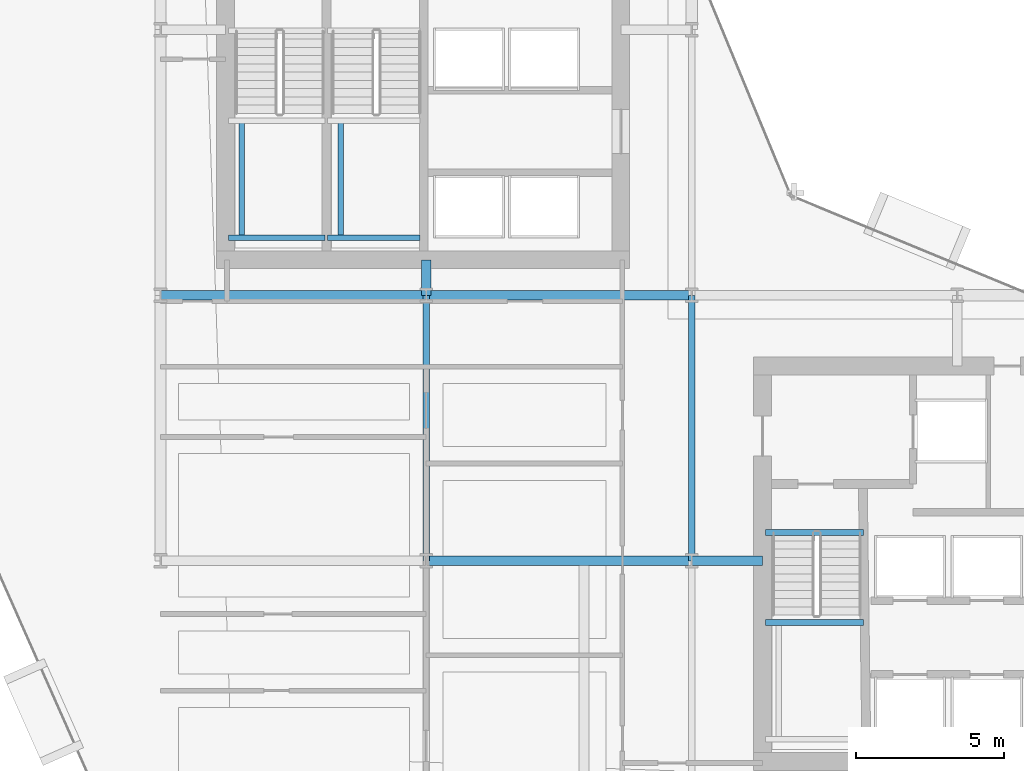
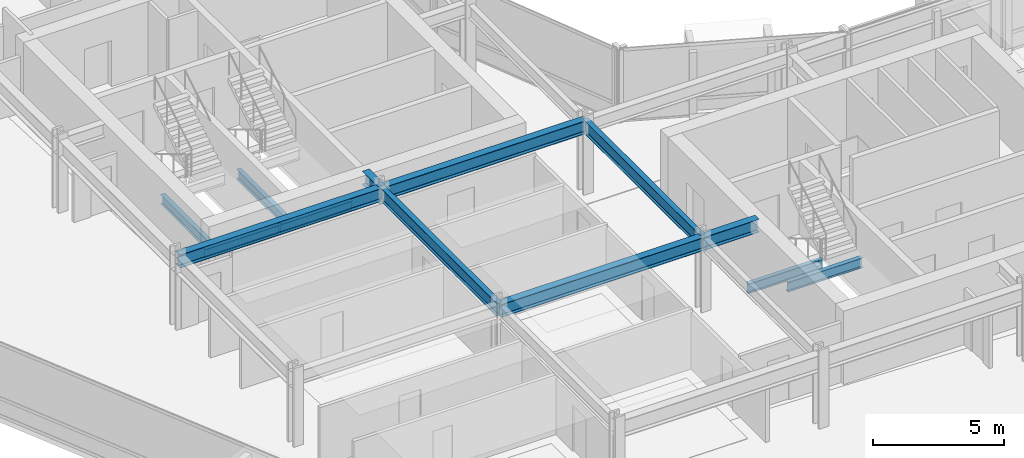
# One storey, part 7 of 34: 13 beams.
"""IFC4 building model written with IfcOpenShell, lengths in metres."""

from ifc_helpers import new_model, si_unit, direction, frame, origin, origin_2d, place, context, subcontext, project, spatial, i_section, extrude, material, material_profile, profile_set, type_object, element, save


model = new_model("IFC4")

# Units and contexts
model_context = context("Model", 3, precision=1e-05, world=origin(), true_north=direction((0.0, 1.0)))
body_context = subcontext(model_context, "Body", "Model", "MODEL_VIEW")
ifc_project = project(units=[si_unit("LENGTHUNIT", "METRE"), si_unit("AREAUNIT", "SQUARE_METRE"), si_unit("VOLUMEUNIT", "CUBIC_METRE"), si_unit("PLANEANGLEUNIT", "RADIAN"), si_unit("MASSUNIT", "GRAM", prefix="KILO")], contexts=[model_context])

# Site, building, storey
site_placement = place(None, origin())
site = spatial("IfcSite", under=ifc_project, at=site_placement, CompositionType="ELEMENT")
building_placement = place(site_placement, origin())
building = spatial("IfcBuilding", under=site, at=building_placement, Name="Solvaryn Broadcast Tower", CompositionType="ELEMENT")
storey_placement = place(building_placement, frame((0.0, 0.0, 43.39990234375)))
storey = spatial("IfcBuildingStorey", under=building, at=storey_placement, Name="L09", CompositionType="ELEMENT", Elevation=43.39990234375)

# Beams
ifc_material_1 = material(Name="Steel ASTM A992 Grade 50", Category="steel")
ifc_material_profile_1 = material_profile(ifc_material_1, i_section(OverallWidth=0.323974609375, OverallDepth=0.611083984375, WebThickness=0.0126953125, FlangeThickness=0.01904296875, FilletRadius=0.014892578125, at=origin_2d()))
ifc_profile_set_1 = profile_set([ifc_material_profile_1], Name="Steel ASTM A992 Grade 50")
beam_type_1 = type_object("IfcBeamType", Name="BM-B1-W24X104", PredefinedType="BEAM", material=ifc_profile_set_1)
for number, where, z_axis, x_axis, name in (
    (1, (18.0, 18.0, 3.114501953125), (1.0, 0.0, 0.0), (0.0, 1.0, 0.0), "L09 Primary Beam X (18-27 @ Y=18)"),
    (2, (9.0, 27.0, 3.114501953125), (1.0, 0.0, 0.0), (0.0, 1.0, 0.0), "L09 Primary Beam X (9-18 @ Y=27)"),
    (3, (18.0, 27.0, 3.114501953125), (1.0, 0.0, 0.0), (0.0, 1.0, 0.0), "L09 Primary Beam X (18-27 @ Y=27)"),
):
    element("IfcBeam", number, at=place(storey_placement, frame(where, z_axis=z_axis, x_axis=x_axis)), inside=storey, type_object=beam_type_1, Name=name, PredefinedType="BEAM", context=body_context, shape_type="SweptSolid", body=[
        extrude(i_section(OverallWidth=0.323974609375, OverallDepth=0.611083984375, WebThickness=0.0126953125, FlangeThickness=0.01904296875, FilletRadius=0.014892578125, at=origin_2d()), origin(), (0.0, 0.0, 1.0), 9.0),
    ])
beam_1_placement = place(storey_placement, frame((18.0, 27.0, 3.114501953125), z_axis=(0.0, 1.0, 0.0), x_axis=(-1.0, 0.0, 0.0)))
element("IfcBeam", 4, at=beam_1_placement, inside=storey, type_object=beam_type_1, Name="L09 Core Tie Beam CTW4", PredefinedType="BEAM", context=body_context, shape_type="SweptSolid", body=[
    extrude(i_section(OverallWidth=0.323974609375, OverallDepth=0.611083984375, WebThickness=0.0126953125, FlangeThickness=0.01904296875, FilletRadius=0.014892578125, at=origin_2d()), origin(), (0.0, 0.0, 1.0), 1.199951171875),
])
beam_2_placement = place(storey_placement, frame((27.0, 18.0, 3.114501953125), z_axis=(1.0, 0.0, 0.0), x_axis=(0.0, 1.0, 0.0)))
element("IfcBeam", 5, at=beam_2_placement, inside=storey, type_object=beam_type_1, Name="L09 Core Tie Beam CTE4", PredefinedType="BEAM", context=body_context, shape_type="SweptSolid", body=[
    extrude(i_section(OverallWidth=0.323974609375, OverallDepth=0.611083984375, WebThickness=0.0126953125, FlangeThickness=0.01904296875, FilletRadius=0.014892578125, at=origin_2d()), origin(), (0.0, 0.0, 1.0), 2.39990234375),
])
ifc_material_2 = material(Name="Steel ASTM A992 Grade 50", Category="steel")
ifc_material_profile_2 = material_profile(ifc_material_2, i_section(OverallWidth=0.22802734375, OverallDepth=0.60791015625, WebThickness=0.01123046875, FlangeThickness=0.017333984375, FilletRadius=0.014892578125, at=origin_2d()))
ifc_profile_set_2 = profile_set([ifc_material_profile_2], Name="Steel ASTM A992 Grade 50")
beam_type_2 = type_object("IfcBeamType", Name="BM-B2-W24X76", PredefinedType="BEAM", material=ifc_profile_set_2)
for number, where, z_axis, x_axis, name in (
    (6, (18.0, 18.0, 3.1162109375), (0.0, 1.0, 0.0), (-1.0, 0.0, 0.0), "L09 Primary Beam Y (18-27 @ X=18)"),
    (7, (27.0, 18.0, 3.1162109375), (0.0, 1.0, 0.0), (-1.0, 0.0, 0.0), "L09 Primary Beam Y (18-27 @ X=27)"),
):
    element("IfcBeam", number, at=place(storey_placement, frame(where, z_axis=z_axis, x_axis=x_axis)), inside=storey, type_object=beam_type_2, Name=name, PredefinedType="BEAM", context=body_context, shape_type="SweptSolid", body=[
        extrude(i_section(OverallWidth=0.22802734375, OverallDepth=0.60791015625, WebThickness=0.01123046875, FlangeThickness=0.017333984375, FilletRadius=0.014892578125, at=origin_2d()), origin(), (0.0, 0.0, 1.0), 9.0),
    ])
ifc_material_3 = material(Name="Steel ASTM A992 Grade 50", Category="steel")
ifc_material_profile_3 = material_profile(ifc_material_3, i_section(OverallWidth=0.18994140625, OverallDepth=0.45703125, WebThickness=0.009033203125, FlangeThickness=0.014404296875, FilletRadius=0.011962890625, at=origin_2d()))
ifc_profile_set_3 = profile_set([ifc_material_profile_3], Name="Steel ASTM A992 Grade 50")
beam_type_3 = type_object("IfcBeamType", Name="BM-B4-W18X50", PredefinedType="BEAM", material=ifc_profile_set_3)
beam_3_placement = place(storey_placement, frame((11.300048828125, 28.949951171875, 1.421630859375), z_axis=(1.0, 0.0, 0.0), x_axis=(0.0, 1.0, 0.0)))
element("IfcBeam", 8, at=beam_3_placement, inside=storey, type_object=beam_type_3, Name="L09 ST1 Landing Support Beam 1A", PredefinedType="BEAM", context=body_context, shape_type="SweptSolid", body=[
    extrude(i_section(OverallWidth=0.18994140625, OverallDepth=0.45703125, WebThickness=0.009033203125, FlangeThickness=0.014404296875, FilletRadius=0.011962890625, at=origin_2d()), origin(), (0.0, 0.0, 1.0), 3.280029296875),
])
beam_4_placement = place(storey_placement, frame((11.75, 28.949951171875, 1.421630859375), z_axis=(0.0, 1.0, 0.0), x_axis=(-1.0, 0.0, 0.0)))
element("IfcBeam", 9, at=beam_4_placement, inside=storey, type_object=beam_type_3, Name="L09 ST1 Landing Cross Stringer 1C", PredefinedType="BEAM", context=body_context, shape_type="SweptSolid", body=[
    extrude(i_section(OverallWidth=0.18994140625, OverallDepth=0.45703125, WebThickness=0.009033203125, FlangeThickness=0.014404296875, FilletRadius=0.011962890625, at=origin_2d()), origin(), (0.0, 0.0, 1.0), 3.9599609375),
])
beam_5_placement = place(storey_placement, frame((14.659912109375, 28.949951171875, 1.421630859375), z_axis=(1.0, 0.0, 0.0), x_axis=(0.0, 1.0, 0.0)))
element("IfcBeam", 10, at=beam_5_placement, inside=storey, type_object=beam_type_3, Name="L09 ST2 Landing Support Beam 1A", PredefinedType="BEAM", context=body_context, shape_type="SweptSolid", body=[
    extrude(i_section(OverallWidth=0.18994140625, OverallDepth=0.45703125, WebThickness=0.009033203125, FlangeThickness=0.014404296875, FilletRadius=0.011962890625, at=origin_2d()), origin(), (0.0, 0.0, 1.0), 3.14013671875),
])
beam_6_placement = place(storey_placement, frame((15.110107421875, 28.949951171875, 1.421630859375), z_axis=(0.0, 1.0, 0.0), x_axis=(-1.0, 0.0, 0.0)))
element("IfcBeam", 11, at=beam_6_placement, inside=storey, type_object=beam_type_3, Name="L09 ST2 Landing Cross Stringer 1C", PredefinedType="BEAM", context=body_context, shape_type="SweptSolid", body=[
    extrude(i_section(OverallWidth=0.18994140625, OverallDepth=0.45703125, WebThickness=0.009033203125, FlangeThickness=0.014404296875, FilletRadius=0.011962890625, at=origin_2d()), origin(), (0.0, 0.0, 1.0), 3.9599609375),
])
for number, where, z_axis, x_axis, name in (
    (12, (29.5, 18.9599609375, -0.50830078125), (1.0, 0.0, 0.0), (0.0, 1.0, 0.0), "L09 ST3 Stair Well Trimmer Beam"),
    (13, (29.5, 15.909912109375, 1.421630859375), (1.0, 0.0, 0.0), (0.0, 1.0, 0.0), "L09 ST3 Landing Support Beam 1B"),
):
    element("IfcBeam", number, at=place(storey_placement, frame(where, z_axis=z_axis, x_axis=x_axis)), inside=storey, type_object=beam_type_3, Name=name, PredefinedType="BEAM", context=body_context, shape_type="SweptSolid", body=[
        extrude(i_section(OverallWidth=0.18994140625, OverallDepth=0.45703125, WebThickness=0.009033203125, FlangeThickness=0.014404296875, FilletRadius=0.011962890625, at=origin_2d()), origin(), (0.0, 0.0, 1.0), 3.320068359375),
    ])

save(model, "model.ifc")
